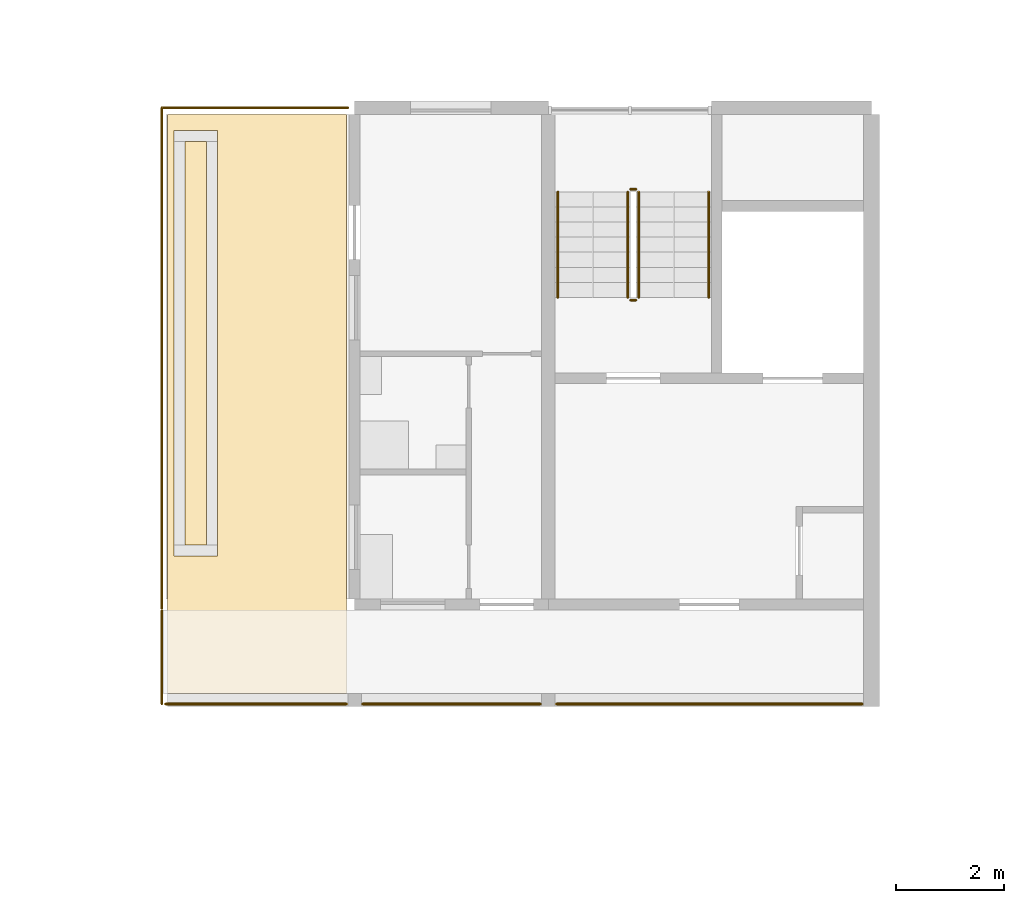
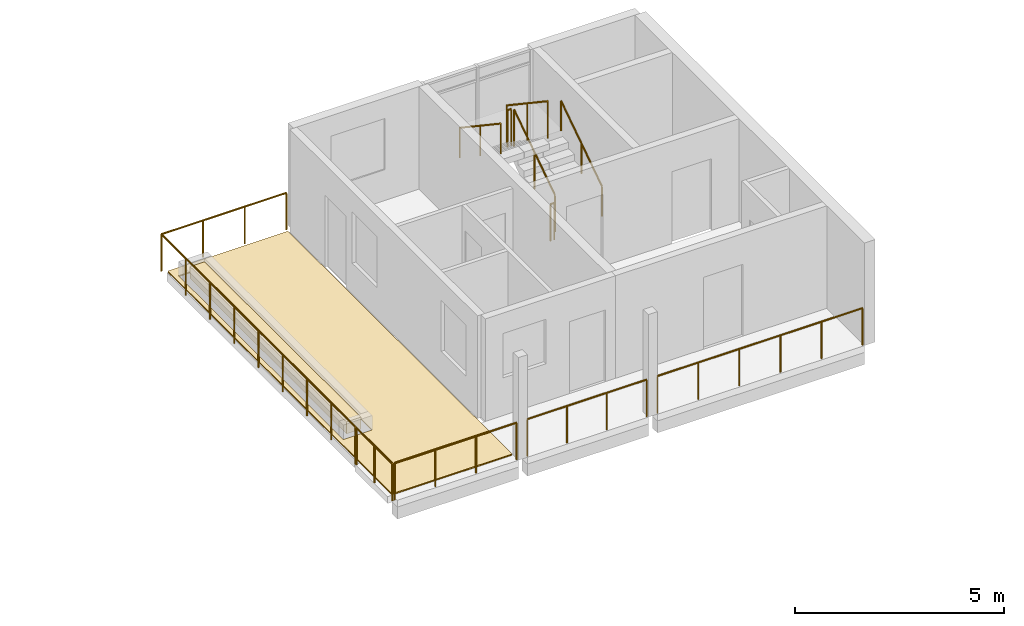
# One storey, part 61 of 64: 11 railings, 3 coverings.
"""IFC4 building model written with IfcOpenShell, lengths in metres."""

from ifc_helpers import new_model, si_unit, direction, frame, origin, origin_2d, place, context, subcontext, project, spatial, polyline, circle, outline, extrude, material, layer, layer_set, type_object, element, save


model = new_model("IFC4")

# Units and contexts
model_context = context("Model", 3, precision=1e-05, world=origin(), true_north=direction((0.0, 1.0)))
body_context = subcontext(model_context, "Body", "Model", "MODEL_VIEW")
ifc_project = project(units=[si_unit("LENGTHUNIT", "METRE"), si_unit("AREAUNIT", "SQUARE_METRE"), si_unit("VOLUMEUNIT", "CUBIC_METRE"), si_unit("PLANEANGLEUNIT", "RADIAN"), si_unit("MASSUNIT", "GRAM", prefix="KILO")], contexts=[model_context])

# Site, building, storey
site_placement = place(None, origin())
site = spatial("IfcSite", under=ifc_project, at=site_placement, CompositionType="ELEMENT")
building_placement = place(site_placement, origin())
building = spatial("IfcBuilding", under=site, at=building_placement, Name="Ridgestep Commons", CompositionType="ELEMENT")
storey_placement = place(building_placement, frame((0.0, 0.0, 33.0)))
storey = spatial("IfcBuildingStorey", under=building, at=storey_placement, Name="L11", CompositionType="ELEMENT", Elevation=33.0)

# Railings
ifc_material_1 = material(Name="Structural steel S355JR", Category="steel")
railing_type_1 = type_object("IfcRailingType", Name="Guard 1100", PredefinedType="GUARDRAIL", material=ifc_material_1)
railing_1_placement = place(storey_placement, frame((217.62109375, 67.821044921875, 0.0)))
element("IfcRailing", 1, at=railing_1_placement, inside=storey, type_object=railing_type_1, Name="Guard TD-C5R2-GD", PredefinedType="GUARDRAIL", context=body_context, shape_type="SweptSolid", body=[
    extrude(circle(Radius=0.02392578125, at=origin_2d()), frame((0.0, 0.0, 1.076171875), z_axis=(0.0, 1.0, 0.0), x_axis=(-1.0, 0.0, 0.0)), (0.0, 0.0, 1.0), 9.303955078125),
    extrude(circle(Radius=0.02392578125, at=origin_2d()), frame((0.0, 9.303955078125, 1.076171875), z_axis=(1.0, 0.0, 0.0), x_axis=(0.0, 1.0, 0.0)), (0.0, 0.0, 1.0), 3.4580078125),
    extrude(circle(Radius=0.02099609375, at=origin_2d()), origin(), (0.0, 0.0, 1.0), 1.052001953125),
    extrude(circle(Radius=0.02099609375, at=origin_2d()), frame((0.0, 1.1630859375, 0.0)), (0.0, 0.0, 1.0), 1.052001953125),
    extrude(circle(Radius=0.02099609375, at=origin_2d()), frame((0.0, 2.325927734375, 0.0)), (0.0, 0.0, 1.0), 1.052001953125),
    extrude(circle(Radius=0.02099609375, at=origin_2d()), frame((0.0, 3.489013671875, 0.0)), (0.0, 0.0, 1.0), 1.052001953125),
    extrude(circle(Radius=0.02099609375, at=origin_2d()), frame((0.0, 4.65185546875, 0.0)), (0.0, 0.0, 1.0), 1.052001953125),
    extrude(circle(Radius=0.02099609375, at=origin_2d()), frame((0.0, 5.81494140625, 0.0)), (0.0, 0.0, 1.0), 1.052001953125),
    extrude(circle(Radius=0.02099609375, at=origin_2d()), frame((0.0, 6.97802734375, 0.0)), (0.0, 0.0, 1.0), 1.052001953125),
    extrude(circle(Radius=0.02099609375, at=origin_2d()), frame((0.0, 8.140869140625, 0.0)), (0.0, 0.0, 1.0), 1.052001953125),
    extrude(circle(Radius=0.02099609375, at=origin_2d()), frame((0.0, 9.303955078125, 0.0)), (0.0, 0.0, 1.0), 1.052001953125),
    extrude(circle(Radius=0.02099609375, at=origin_2d()), frame((1.152587890625, 9.303955078125, 0.0)), (0.0, 0.0, 1.0), 1.052001953125),
    extrude(circle(Radius=0.02099609375, at=origin_2d()), frame((2.305419921875, 9.303955078125, 0.0)), (0.0, 0.0, 1.0), 1.052001953125),
    extrude(circle(Radius=0.02099609375, at=origin_2d()), frame((3.4580078125, 9.303955078125, 0.0)), (0.0, 0.0, 1.0), 1.052001953125),
])
railing_2_placement = place(storey_placement, frame((217.68408203125, 66.050048828125, 0.0)))
element("IfcRailing", 2, at=railing_2_placement, inside=storey, type_object=railing_type_1, Name="Gallery guard C 11.1", PredefinedType="GUARDRAIL", context=body_context, shape_type="SweptSolid", body=[
    extrude(circle(Radius=0.02392578125, at=origin_2d()), frame((0.0, 0.0, 1.076171875), z_axis=(1.0, 0.0, 0.0), x_axis=(0.0, 1.0, 0.0)), (0.0, 0.0, 1.0), 3.369873046875),
    extrude(circle(Radius=0.02099609375, at=origin_2d()), origin(), (0.0, 0.0, 1.0), 1.052001953125),
    extrude(circle(Radius=0.02099609375, at=origin_2d()), frame((1.123291015625, 0.0, 0.0)), (0.0, 0.0, 1.0), 1.052001953125),
    extrude(circle(Radius=0.02099609375, at=origin_2d()), frame((2.24658203125, 0.0, 0.0)), (0.0, 0.0, 1.0), 1.052001953125),
    extrude(circle(Radius=0.02099609375, at=origin_2d()), frame((3.369873046875, 0.0, 0.0)), (0.0, 0.0, 1.0), 1.052001953125),
])
railing_3_placement = place(storey_placement, frame((217.62109375, 66.050048828125, 0.0)))
element("IfcRailing", 3, at=railing_3_placement, inside=storey, type_object=railing_type_1, Name="Gallery end guard C 11.1W", PredefinedType="GUARDRAIL", context=body_context, shape_type="SweptSolid", body=[
    extrude(circle(Radius=0.02392578125, at=origin_2d()), frame((0.0, 0.0, 1.076171875), z_axis=(0.0, 1.0, 0.0), x_axis=(-1.0, 0.0, 0.0)), (0.0, 0.0, 1.0), 1.72900390625),
    extrude(circle(Radius=0.02099609375, at=origin_2d()), origin(), (0.0, 0.0, 1.0), 1.052001953125),
    extrude(circle(Radius=0.02099609375, at=origin_2d()), frame((0.0, 0.864501953125, 0.0)), (0.0, 0.0, 1.0), 1.052001953125),
    extrude(circle(Radius=0.02099609375, at=origin_2d()), frame((0.0, 1.72900390625, 0.0)), (0.0, 0.0, 1.0), 1.052001953125),
])
railing_4_placement = place(storey_placement, frame((221.345947265625, 66.050048828125, 0.0)))
element("IfcRailing", 4, at=railing_4_placement, inside=storey, type_object=railing_type_1, Name="Gallery guard C 11.2", PredefinedType="GUARDRAIL", context=body_context, shape_type="SweptSolid", body=[
    extrude(circle(Radius=0.02392578125, at=origin_2d()), frame((0.0, 0.0, 1.076171875), z_axis=(1.0, 0.0, 0.0), x_axis=(0.0, 1.0, 0.0)), (0.0, 0.0, 1.0), 3.30810546875),
    extrude(circle(Radius=0.02099609375, at=origin_2d()), origin(), (0.0, 0.0, 1.0), 1.052001953125),
    extrude(circle(Radius=0.02099609375, at=origin_2d()), frame((1.102783203125, 0.0, 0.0)), (0.0, 0.0, 1.0), 1.052001953125),
    extrude(circle(Radius=0.02099609375, at=origin_2d()), frame((2.205322265625, 0.0, 0.0)), (0.0, 0.0, 1.0), 1.052001953125),
    extrude(circle(Radius=0.02099609375, at=origin_2d()), frame((3.30810546875, 0.0, 0.0)), (0.0, 0.0, 1.0), 1.052001953125),
])
railing_5_placement = place(storey_placement, frame((224.946044921875, 66.050048828125, 0.0)))
element("IfcRailing", 5, at=railing_5_placement, inside=storey, type_object=railing_type_1, Name="Gallery guard C 11.3", PredefinedType="GUARDRAIL", context=body_context, shape_type="SweptSolid", body=[
    extrude(circle(Radius=0.02392578125, at=origin_2d()), frame((0.0, 0.0, 1.076171875), z_axis=(1.0, 0.0, 0.0), x_axis=(0.0, 1.0, 0.0)), (0.0, 0.0, 1.0), 5.682861328125),
    extrude(circle(Radius=0.02099609375, at=origin_2d()), origin(), (0.0, 0.0, 1.0), 1.052001953125),
    extrude(circle(Radius=0.02099609375, at=origin_2d()), frame((1.136474609375, 0.0, 0.0)), (0.0, 0.0, 1.0), 1.052001953125),
    extrude(circle(Radius=0.02099609375, at=origin_2d()), frame((2.273193359375, 0.0, 0.0)), (0.0, 0.0, 1.0), 1.052001953125),
    extrude(circle(Radius=0.02099609375, at=origin_2d()), frame((3.40966796875, 0.0, 0.0)), (0.0, 0.0, 1.0), 1.052001953125),
    extrude(circle(Radius=0.02099609375, at=origin_2d()), frame((4.54638671875, 0.0, 0.0)), (0.0, 0.0, 1.0), 1.052001953125),
    extrude(circle(Radius=0.02099609375, at=origin_2d()), frame((5.682861328125, 0.0, 0.0)), (0.0, 0.0, 1.0), 1.052001953125),
])

# Covering
ifc_material_2 = material(Name="Planting soil")
ifc_layer_1 = layer(ifc_material_2, 0.35009765625)
ifc_layer_set_1 = layer_set([ifc_layer_1], Name="Planting soil 350")
covering_type_1 = type_object("IfcCoveringType", Name="Planting soil 350", PredefinedType="FLOORING", material=ifc_layer_set_1)
covering_1_placement = place(storey_placement, frame((0.0, 0.0, 0.010009765625)))
element("IfcCovering", 6, at=covering_1_placement, inside=storey, type_object=covering_type_1, Name="Planting soil C5R2", PredefinedType="FLOORING", context=body_context, shape_type="SweptSolid", body=[
    extrude(outline(polyline([(218.050048828125, 69.0), (218.449951171875, 69.0), (218.449951171875, 76.5), (218.050048828125, 76.5), (218.050048828125, 69.0)])), origin(), (0.0, 0.0, 1.0), 0.35009765625),
])

# Railings
ifc_material_3 = material(Name="Structural steel S355JR", Category="steel")
railing_type_2 = type_object("IfcRailingType", Name="Stair guard 1100", PredefinedType="GUARDRAIL", material=ifc_material_3)
railing_6_placement = place(storey_placement, frame((226.47509765625, 73.60009765625, 0.1875)))
element("IfcRailing", 7, at=railing_6_placement, inside=storey, type_object=railing_type_2, Name="L11 C5C stair guard 1", PredefinedType="GUARDRAIL", context=body_context, shape_type="SweptSolid", body=[
    extrude(circle(Radius=0.02392578125, at=origin_2d()), frame((0.0, 0.0, 1.076171875), z_axis=(0.0, 0.830902050051, 0.556418712142), x_axis=(-1.0, 0.0, 0.0)), (0.0, 0.0, 1.0), 2.35888671875),
    extrude(circle(Radius=0.02099609375, at=origin_2d()), origin(), (0.0, 0.0, 1.0), 1.052001953125),
    extrude(circle(Radius=0.02099609375, at=origin_2d()), frame((0.0, 0.97998046875, 0.65625)), (0.0, 0.0, 1.0), 1.052001953125),
    extrude(circle(Radius=0.02099609375, at=origin_2d()), frame((0.0, 1.9599609375, 1.3125)), (0.0, 0.0, 1.0), 1.052001953125),
])
railing_7_placement = place(storey_placement, frame((226.425048828125, 75.610107421875, 1.5)))
element("IfcRailing", 8, at=railing_7_placement, inside=storey, type_object=railing_type_2, Name="L11 C5C stair guard 2", PredefinedType="GUARDRAIL", context=body_context, shape_type="SweptSolid", body=[
    extrude(circle(Radius=0.02392578125, at=origin_2d()), frame((0.0, 0.0, 1.076171875), z_axis=(-1.0, 0.0, 0.0), x_axis=(0.0, -1.0, 0.0)), (0.0, 0.0, 1.0), 0.10009765625),
    extrude(circle(Radius=0.02099609375, at=origin_2d()), origin(), (0.0, 0.0, 1.0), 1.052001953125),
    extrude(circle(Radius=0.02099609375, at=origin_2d()), frame((-0.10009765625, 0.0, 0.0)), (0.0, 0.0, 1.0), 1.052001953125),
])
railing_8_placement = place(storey_placement, frame((226.27490234375, 75.56005859375, 1.6875)))
element("IfcRailing", 9, at=railing_8_placement, inside=storey, type_object=railing_type_2, Name="L11 C5C stair guard 3", PredefinedType="GUARDRAIL", context=body_context, shape_type="SweptSolid", body=[
    extrude(circle(Radius=0.02392578125, at=origin_2d()), frame((0.0, 0.0, 1.076171875), z_axis=(0.0, -0.830902050051, 0.556418712142), x_axis=(1.0, 0.0, 0.0)), (0.0, 0.0, 1.0), 2.35888671875),
    extrude(circle(Radius=0.02099609375, at=origin_2d()), origin(), (0.0, 0.0, 1.0), 1.052001953125),
    extrude(circle(Radius=0.02099609375, at=origin_2d()), frame((0.0, -0.97998046875, 0.65625)), (0.0, 0.0, 1.0), 1.052001953125),
    extrude(circle(Radius=0.02099609375, at=origin_2d()), frame((0.0, -1.9599609375, 1.3125)), (0.0, 0.0, 1.0), 1.052001953125),
])
railing_9_placement = place(storey_placement, frame((226.425048828125, 73.550048828125, 0.0)))
element("IfcRailing", 10, at=railing_9_placement, inside=storey, type_object=railing_type_2, Name="L11 C5C stair guard 4", PredefinedType="GUARDRAIL", context=body_context, shape_type="SweptSolid", body=[
    extrude(circle(Radius=0.02392578125, at=origin_2d()), frame((0.0, 0.0, 1.076171875), z_axis=(-1.0, 0.0, 0.0), x_axis=(0.0, -1.0, 0.0)), (0.0, 0.0, 1.0), 0.10009765625),
    extrude(circle(Radius=0.02099609375, at=origin_2d()), origin(), (0.0, 0.0, 1.0), 1.052001953125),
    extrude(circle(Radius=0.02099609375, at=origin_2d()), frame((-0.10009765625, 0.0, 0.0)), (0.0, 0.0, 1.0), 1.052001953125),
])
ifc_material_4 = material(Name="Structural steel S355JR", Category="steel")
railing_type_3 = type_object("IfcRailingType", Name="Stair handrail 900", PredefinedType="HANDRAIL", material=ifc_material_4)
railing_10_placement = place(storey_placement, frame((227.77490234375, 73.60009765625, 0.1875)))
element("IfcRailing", 11, at=railing_10_placement, inside=storey, type_object=railing_type_3, Name="L11 C5C stair handrail 1", PredefinedType="HANDRAIL", context=body_context, shape_type="SweptSolid", body=[
    extrude(circle(Radius=0.02392578125, at=origin_2d()), frame((0.0, 0.0, 0.8759765625), z_axis=(0.0, 0.830902050051, 0.556418712142), x_axis=(-1.0, 0.0, 0.0)), (0.0, 0.0, 1.0), 2.35888671875),
    extrude(circle(Radius=0.02099609375, at=origin_2d()), origin(), (0.0, 0.0, 1.0), 0.851806640625),
    extrude(circle(Radius=0.02099609375, at=origin_2d()), frame((0.0, 0.97998046875, 0.65625)), (0.0, 0.0, 1.0), 0.851806640625),
    extrude(circle(Radius=0.02099609375, at=origin_2d()), frame((0.0, 1.9599609375, 1.3125)), (0.0, 0.0, 1.0), 0.851806640625),
])
railing_11_placement = place(storey_placement, frame((224.97509765625, 75.56005859375, 1.6875)))
element("IfcRailing", 12, at=railing_11_placement, inside=storey, type_object=railing_type_3, Name="L11 C5C stair handrail 2", PredefinedType="HANDRAIL", context=body_context, shape_type="SweptSolid", body=[
    extrude(circle(Radius=0.02392578125, at=origin_2d()), frame((0.0, 0.0, 0.8759765625), z_axis=(0.0, -0.830902050051, 0.556418712142), x_axis=(1.0, 0.0, 0.0)), (0.0, 0.0, 1.0), 2.35888671875),
    extrude(circle(Radius=0.02099609375, at=origin_2d()), origin(), (0.0, 0.0, 1.0), 0.851806640625),
    extrude(circle(Radius=0.02099609375, at=origin_2d()), frame((0.0, -0.97998046875, 0.65625)), (0.0, 0.0, 1.0), 0.851806640625),
    extrude(circle(Radius=0.02099609375, at=origin_2d()), frame((0.0, -1.9599609375, 1.3125)), (0.0, 0.0, 1.0), 0.851806640625),
])

# Coverings
ifc_material_5 = material(Name="Bitumen membrane, two layer")
ifc_layer_2 = layer(ifc_material_5, 0.010009765625)
ifc_layer_set_2 = layer_set([ifc_layer_2], Name="Terrace membrane 10")
covering_type_2 = type_object("IfcCoveringType", Name="Terrace membrane 10", PredefinedType="ROOFING", material=ifc_layer_set_2)
covering_2_placement = place(storey_placement, origin())
element("IfcCovering", 13, at=covering_2_placement, inside=storey, type_object=covering_type_2, Name="Terrace membrane C5R2", PredefinedType="ROOFING", context=body_context, shape_type="SweptSolid", body=[
    extrude(outline(polyline([(221.050048828125, 66.25), (221.050048828125, 77.0), (217.72509765625, 77.0), (217.72509765625, 66.25), (221.050048828125, 66.25)]), holes=[polyline([(218.64990234375, 68.800048828125), (218.64990234375, 76.699951171875), (217.85009765625, 76.699951171875), (217.85009765625, 68.800048828125), (218.64990234375, 68.800048828125)])]), origin(), (0.0, 0.0, 1.0), 0.010009765625),
])
ifc_material_6 = material(Name="Concrete paving slab", Category="concrete")
ifc_layer_3 = layer(ifc_material_6, 0.030029296875)
ifc_layer_set_3 = layer_set([ifc_layer_3], Name="Terrace paving 30")
covering_type_3 = type_object("IfcCoveringType", Name="Terrace paving 30", PredefinedType="FLOORING", material=ifc_layer_set_3)
covering_3_placement = place(storey_placement, frame((0.0, 0.0, 0.010009765625)))
element("IfcCovering", 14, at=covering_3_placement, inside=storey, type_object=covering_type_3, Name="Terrace paving C5R2", PredefinedType="FLOORING", context=body_context, shape_type="SweptSolid", body=[
    extrude(outline(polyline([(221.050048828125, 66.25), (221.050048828125, 77.0), (217.72509765625, 77.0), (217.72509765625, 66.25), (221.050048828125, 66.25)]), holes=[polyline([(218.64990234375, 68.800048828125), (218.64990234375, 76.699951171875), (217.85009765625, 76.699951171875), (217.85009765625, 68.800048828125), (218.64990234375, 68.800048828125)])]), origin(), (0.0, 0.0, 1.0), 0.030029296875),
])

save(model, "model.ifc")
